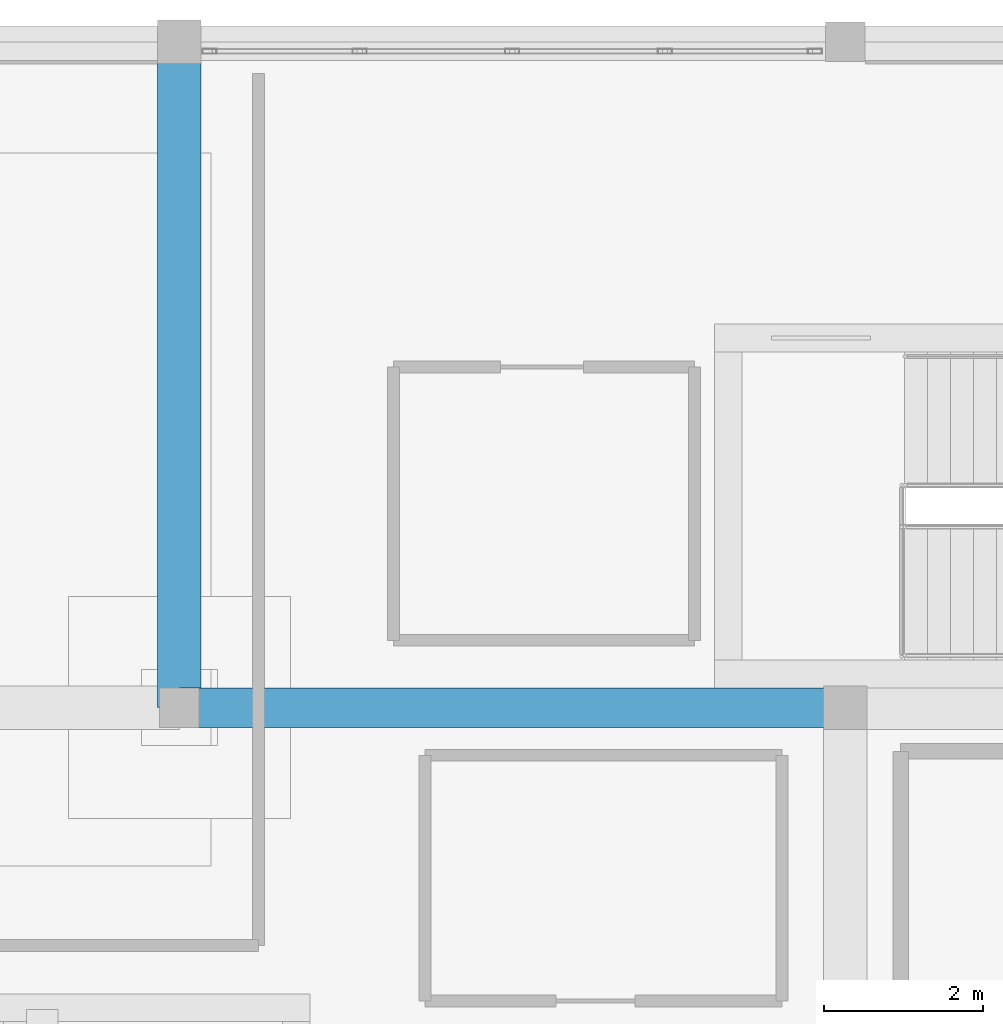
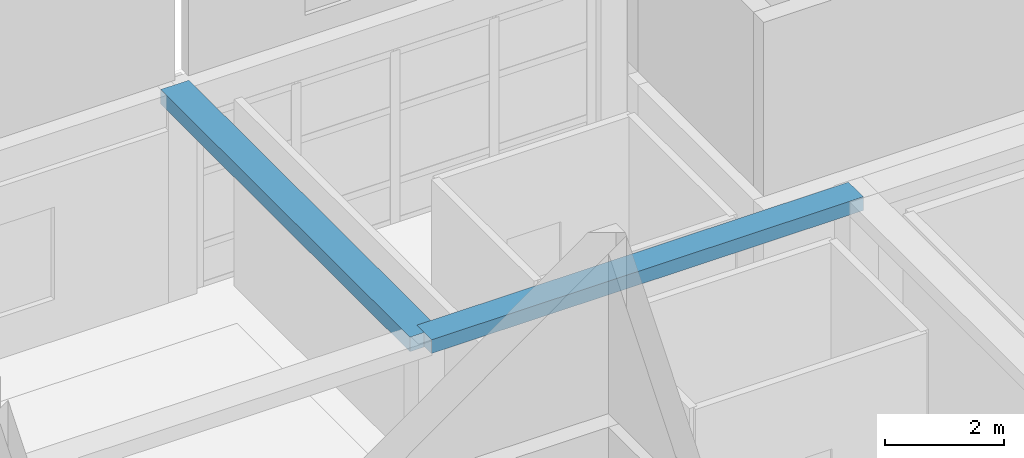
# One storey, part 9 of 17: 2 beams.
"""IFC4 building model written with IfcOpenShell, lengths in metres."""

from ifc_helpers import new_model, si_unit, direction, frame, origin, origin_2d, place, context, subcontext, project, spatial, rectangle, extrude, material, material_profile, profile_set, type_object, element, save


model = new_model("IFC4")

# Units and contexts
model_context = context("Model", 3, precision=1e-05, world=origin(), true_north=direction((0.0, 1.0)))
body_context = subcontext(model_context, "Body", "Model", "MODEL_VIEW")
ifc_project = project(units=[si_unit("LENGTHUNIT", "METRE"), si_unit("AREAUNIT", "SQUARE_METRE"), si_unit("VOLUMEUNIT", "CUBIC_METRE"), si_unit("PLANEANGLEUNIT", "RADIAN"), si_unit("MASSUNIT", "GRAM", prefix="KILO")], contexts=[model_context])

# Site, building, storey
site_placement = place(None, origin())
site = spatial("IfcSite", under=ifc_project, at=site_placement, CompositionType="ELEMENT")
building_placement = place(site_placement, origin())
building = spatial("IfcBuilding", under=site, at=building_placement, Name="Almacenes y Pasaje Nevantli", CompositionType="ELEMENT")
storey_placement = place(building_placement, frame((0.0, 0.0, 66.699951171875)))
storey = spatial("IfcBuildingStorey", under=building, at=storey_placement, Name="L16", CompositionType="ELEMENT", Elevation=66.699951171875)

# Beams
ifc_material_1 = material(Name="Concrete C35/45", Category="concrete")
ifc_material_profile_1 = material_profile(ifc_material_1, rectangle(XDim=0.5, YDim=0.280029296875, at=origin_2d()), Name="RC-BM-500x280")
ifc_profile_set_1 = profile_set([ifc_material_profile_1], Name="Concrete C35/45")
beam_type_1 = type_object("IfcBeamType", Name="BM-RC-500x280", PredefinedType="BEAM", material=ifc_profile_set_1)
beam_1_placement = place(storey_placement, frame((126.0, 84.0, 4.080078125), z_axis=(1.0, 0.0, 0.0), x_axis=(0.0, 1.0, 0.0)))
element("IfcBeam", 1, at=beam_1_placement, inside=storey, type_object=beam_type_1, Name="L16 East-West Reinforced Concrete Beam #4050", PredefinedType="BEAM", context=body_context, shape_type="SweptSolid", body=[
    extrude(rectangle(XDim=0.5, YDim=0.280029296875, at=origin_2d()), origin(), (0.0, 0.0, 1.0), 8.39990234375),
])
ifc_material_2 = material(Name="Concrete C35/45", Category="concrete")
ifc_material_profile_2 = material_profile(ifc_material_2, rectangle(XDim=0.550048828125, YDim=0.300048828125, at=origin_2d()), Name="RC-BM-550x300")
ifc_profile_set_2 = profile_set([ifc_material_profile_2], Name="Concrete C35/45")
beam_type_2 = type_object("IfcBeamType", Name="BM-RC-550x300", PredefinedType="BEAM", material=ifc_profile_set_2)
beam_2_placement = place(storey_placement, frame((126.0, 84.0, 4.070068359375), z_axis=(0.0, 1.0, 0.0), x_axis=(-1.0, 0.0, 0.0)))
element("IfcBeam", 2, at=beam_2_placement, inside=storey, type_object=beam_type_2, Name="L16 North-South Reinforced Concrete Beam #4059", PredefinedType="BEAM", context=body_context, shape_type="SweptSolid", body=[
    extrude(rectangle(XDim=0.550048828125, YDim=0.300048828125, at=origin_2d()), origin(), (0.0, 0.0, 1.0), 8.39990234375),
])

save(model, "model.ifc")
